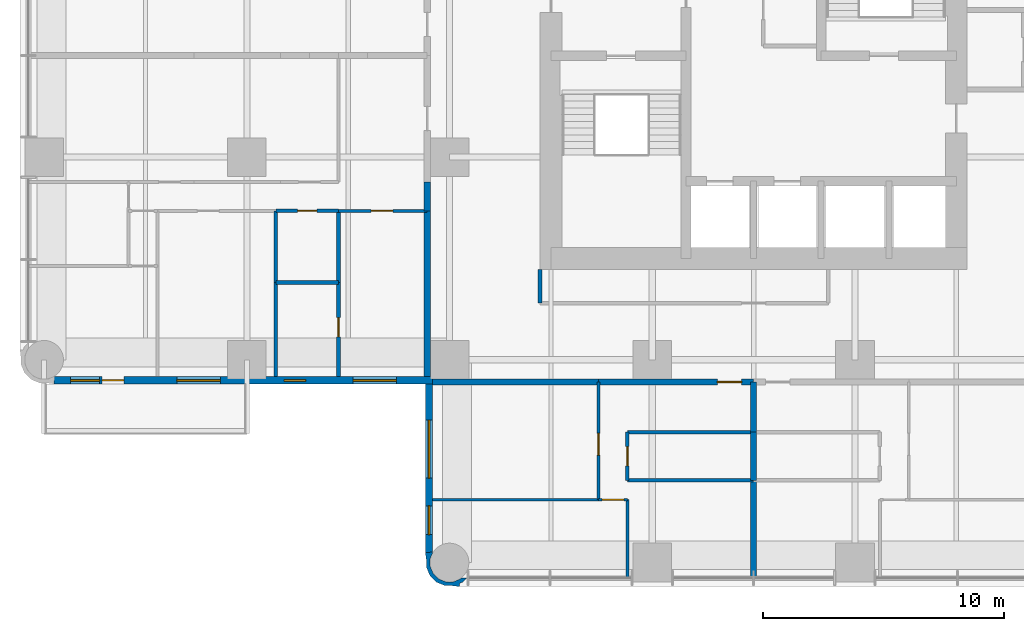
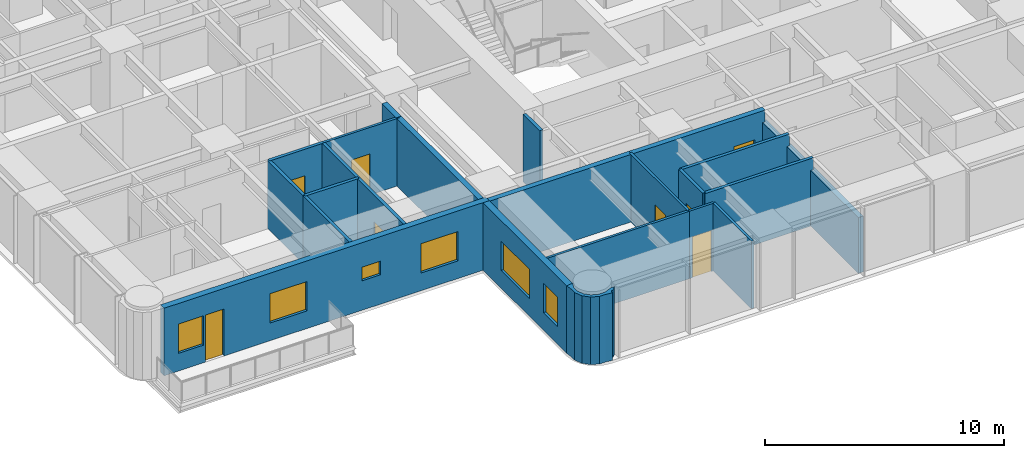
# One storey, part 6 of 14: 25 walls, 8 doors, 6 windows, 14 openings.
"""IFC4 building model written with IfcOpenShell, lengths in metres."""

from ifc_helpers import new_model, si_unit, direction, frame, frame_2d, origin, place, context, subcontext, project, spatial, polyline, rectangle, outline, extrude, material, layer, layer_set, type_object, element, fill, save


model = new_model("IFC4")

# Units and contexts
model_context = context("Model", 3, precision=1e-05, world=origin(), true_north=direction((0.0, 1.0)))
body_context = subcontext(model_context, "Body", "Model", "MODEL_VIEW")
ifc_project = project(units=[si_unit("LENGTHUNIT", "METRE"), si_unit("AREAUNIT", "SQUARE_METRE"), si_unit("VOLUMEUNIT", "CUBIC_METRE"), si_unit("PLANEANGLEUNIT", "RADIAN"), si_unit("MASSUNIT", "GRAM", prefix="KILO")], contexts=[model_context])

# Site, building, storey
site_placement = place(None, origin())
site = spatial("IfcSite", under=ifc_project, at=site_placement, CompositionType="ELEMENT")
building_placement = place(site_placement, origin())
building = spatial("IfcBuilding", under=site, at=building_placement, Name="Torre Alcanfor", CompositionType="ELEMENT")
storey_placement = place(building_placement, frame((0.0, 0.0, 130.5)))
storey = spatial("IfcBuildingStorey", under=building, at=storey_placement, Name="L33", CompositionType="ELEMENT", Elevation=130.5)

# Wall, opening, door
ifc_material_1 = material(Name="Concrete block masonry, hollow blocks NMX-C-404 9 MPa", Category="masonry")
ifc_layer_1 = layer(ifc_material_1, 0.25)
ifc_layer_set_1 = layer_set([ifc_layer_1], Name="Apartment entrance wall 250 EI 60")
wall_type_1 = type_object("IfcWallType", Name="Apartment entrance wall 250 EI 60", PredefinedType="PARTITIONING", material=ifc_layer_set_1)
wall_1_placement = place(storey_placement, frame((29.39990234375, 15.875, 0.0), z_axis=(0.0, 0.0, 1.0), x_axis=(-1.0, 0.0, 0.0)))
wall_1 = element("IfcWall", 1, at=wall_1_placement, inside=storey, type_object=wall_type_1, Name="Partition L33-CORR / L33-S2-LIVING", PredefinedType="PARTITIONING", context=body_context, shape_type="SweptSolid", body=[
    extrude(rectangle(XDim=6.428955078125, YDim=0.25, at=frame_2d((3.21435546875, 0.0))), origin(), (0.0, 0.0, 1.0), 3.449951171875),
])
opening_1_placement = place(wall_1_placement, frame((0.5, 0.0, 0.0)))
opening_1 = element("IfcOpeningElement", 2, at=opening_1_placement, cuts=wall_1, Name="Opening D-A1", PredefinedType="OPENING", context=body_context, shape_type="SweptSolid", body=[
    extrude(rectangle(XDim=1.0, YDim=2.10009765625, at=frame_2d((0.5, 1.050048828125))), frame((0.0, 0.135009765625, 0.0), z_axis=(0.0, -1.0, 0.0), x_axis=(1.0, 0.0, 0.0)), (0.0, 0.0, 1.0), 0.27001953125),
])
ifc_material_2 = material(Name="Galvanised steel sheet ASTM A653", Category="steel")
door_type_1 = type_object("IfcDoorType", Name="Apartment entrance door FD60 1000x2100", OperationType="SINGLE_SWING_LEFT", PredefinedType="DOOR", material=ifc_material_2)
door_1_placement = place(opening_1_placement, origin())
door_1 = element("IfcDoor", 3, at=door_1_placement, inside=storey, type_object=door_type_1, Name="Apartment entrance L33-S2", OperationType="SINGLE_SWING_LEFT", OverallHeight=2.10009765625, OverallWidth=1.0, PredefinedType="DOOR", context=body_context, shape_type="SweptSolid", body=[
    extrude(rectangle(XDim=1.0, YDim=2.10009765625, at=frame_2d((0.5, 1.050048828125))), frame((0.0, 0.02490234375, 0.0), z_axis=(0.0, -1.0, 0.0), x_axis=(1.0, 0.0, 0.0)), (0.0, 0.0, 1.0), 0.050048828125),
])
fill(opening_1, door_1)

# Walls
wall_2_placement = place(storey_placement, frame((22.970947265625, 15.875, 0.0), z_axis=(0.0, 0.0, 1.0), x_axis=(-1.0, 0.0, 0.0)))
element("IfcWall", 4, at=wall_2_placement, inside=storey, type_object=wall_type_1, Name="Partition L33-CORR / L33-S2-BED2", PredefinedType="PARTITIONING", context=body_context, shape_type="SweptSolid", body=[
    extrude(rectangle(XDim=6.870849609375, YDim=0.25, at=frame_2d((3.435546875, 0.0))), origin(), (0.0, 0.0, 1.0), 3.449951171875),
])
wall_3_placement = place(storey_placement, frame((15.875, 22.970947265625, 0.0), z_axis=(0.0, 0.0, 1.0), x_axis=(0.0, 1.0, 0.0)))
element("IfcWall", 5, at=wall_3_placement, inside=storey, type_object=wall_type_1, Name="Partition L33-CORR / L33-W1-HALL", PredefinedType="PARTITIONING", context=body_context, shape_type="SweptSolid", body=[
    extrude(rectangle(XDim=1.199951171875, YDim=0.25, at=frame_2d((0.60009765625, 0.0))), origin(), (0.0, 0.0, 1.0), 3.449951171875),
])
wall_4_placement = place(storey_placement, frame((15.875, 16.10009765625, 0.0), z_axis=(0.0, 0.0, 1.0), x_axis=(0.0, 1.0, 0.0)))
element("IfcWall", 6, at=wall_4_placement, inside=storey, type_object=wall_type_1, Name="Partition L33-CORR / L33-W1-SERV", PredefinedType="PARTITIONING", context=body_context, shape_type="SweptSolid", body=[
    extrude(rectangle(XDim=6.870849609375, YDim=0.25, at=frame_2d((3.435546875, 0.0))), origin(), (0.0, 0.0, 1.0), 3.449951171875),
])

# Wall, opening, door
ifc_material_3 = material(Name="Gypsum board on steel studs", Category="steel")
ifc_layer_2 = layer(ifc_material_3, 0.1201171875)
ifc_layer_set_2 = layer_set([ifc_layer_2], Name="Apartment partition 120")
wall_type_2 = type_object("IfcWallType", Name="Apartment partition 120", PredefinedType="PARTITIONING", material=ifc_layer_set_2)
wall_5_placement = place(storey_placement, frame((22.970947265625, 11.0, 0.0), z_axis=(0.0, 0.0, 1.0), x_axis=(0.0, 1.0, 0.0)))
wall_5 = element("IfcWall", 7, at=wall_5_placement, inside=storey, type_object=wall_type_2, Name="Partition L33-S2-LIVING / L33-S2-BED2", PredefinedType="PARTITIONING", context=body_context, shape_type="SweptSolid", body=[
    extrude(rectangle(XDim=4.875, YDim=0.1201171875, at=frame_2d((2.4375, 0.0))), origin(), (0.0, 0.0, 1.0), 3.449951171875),
])
opening_2_placement = place(wall_5_placement, frame((1.85009765625, 0.0, 0.0)))
opening_2 = element("IfcOpeningElement", 8, at=opening_2_placement, cuts=wall_5, Name="Opening D-R1", PredefinedType="OPENING", context=body_context, shape_type="SweptSolid", body=[
    extrude(rectangle(XDim=0.89990234375, YDim=2.10009765625, at=frame_2d((0.449951171875, 1.050048828125))), frame((0.0, 0.070068359375, 0.0), z_axis=(0.0, -1.0, 0.0), x_axis=(1.0, 0.0, 0.0)), (0.0, 0.0, 1.0), 0.14013671875),
])
ifc_material_4 = material(Name="Timber", Category="wood")
door_type_2 = type_object("IfcDoorType", Name="Internal door 900x2100", OperationType="SINGLE_SWING_LEFT", PredefinedType="DOOR", material=ifc_material_4)
door_2_placement = place(opening_2_placement, origin())
door_2 = element("IfcDoor", 9, at=door_2_placement, inside=storey, type_object=door_type_2, Name="Door L33-S2 bed2", OperationType="SINGLE_SWING_LEFT", OverallHeight=2.10009765625, OverallWidth=0.89990234375, PredefinedType="DOOR", context=body_context, shape_type="SweptSolid", body=[
    extrude(rectangle(XDim=0.89990234375, YDim=2.10009765625, at=frame_2d((0.449951171875, 1.050048828125))), frame((0.0, 0.02490234375, 0.0), z_axis=(0.0, -1.0, 0.0), x_axis=(1.0, 0.0, 0.0)), (0.0, 0.0, 1.0), 0.050048828125),
])
fill(opening_2, door_2)

# Wall
wall_6_placement = place(storey_placement, frame((24.1708984375, 7.75, 0.0), z_axis=(0.0, 0.0, 1.0), x_axis=(0.0, 1.0, 0.0)))
element("IfcWall", 10, at=wall_6_placement, inside=storey, type_object=wall_type_2, Name="Partition L33-S2-LIVING / L33-S2-MASTER", PredefinedType="PARTITIONING", context=body_context, shape_type="SweptSolid", body=[
    extrude(rectangle(XDim=3.25, YDim=0.1201171875, at=frame_2d((1.625, 0.0))), origin(), (0.0, 0.0, 1.0), 3.449951171875),
])

# Wall, opening, door
wall_7_placement = place(storey_placement, frame((24.1708984375, 11.0, 0.0), z_axis=(0.0, 0.0, 1.0), x_axis=(-1.0, 0.0, 0.0)))
wall_7 = element("IfcWall", 11, at=wall_7_placement, inside=storey, type_object=wall_type_2, Name="Partition L33-S2-LIVING / L33-S2-MASTER", PredefinedType="PARTITIONING", context=body_context, shape_type="SweptSolid", body=[
    extrude(rectangle(XDim=1.199951171875, YDim=0.1201171875, at=frame_2d((0.60009765625, 0.0))), origin(), (0.0, 0.0, 1.0), 3.449951171875),
])
opening_3_placement = place(wall_7_placement, frame((0.15087890625, 0.0, 0.0)))
opening_3 = element("IfcOpeningElement", 12, at=opening_3_placement, cuts=wall_7, Name="Opening D-R1", PredefinedType="OPENING", context=body_context, shape_type="SweptSolid", body=[
    extrude(rectangle(XDim=0.89990234375, YDim=2.10009765625, at=frame_2d((0.449951171875, 1.050048828125))), frame((0.0, 0.070068359375, 0.0), z_axis=(0.0, -1.0, 0.0), x_axis=(1.0, 0.0, 0.0)), (0.0, 0.0, 1.0), 0.14013671875),
])
door_3_placement = place(opening_3_placement, origin())
door_3 = element("IfcDoor", 13, at=door_3_placement, inside=storey, type_object=door_type_2, Name="Door L33-S2 master", OperationType="SINGLE_SWING_LEFT", OverallHeight=2.10009765625, OverallWidth=0.89990234375, PredefinedType="DOOR", context=body_context, shape_type="SweptSolid", body=[
    extrude(rectangle(XDim=0.89990234375, YDim=2.10009765625, at=frame_2d((0.449951171875, 1.050048828125))), frame((0.0, 0.02490234375, 0.0), z_axis=(0.0, -1.0, 0.0), x_axis=(1.0, 0.0, 0.0)), (0.0, 0.0, 1.0), 0.050048828125),
])
fill(opening_3, door_3)

# Wall
wall_8_placement = place(storey_placement, frame((22.970947265625, 11.0, 0.0), z_axis=(0.0, 0.0, 1.0), x_axis=(-1.0, 0.0, 0.0)))
element("IfcWall", 14, at=wall_8_placement, inside=storey, type_object=wall_type_2, Name="Partition L33-S2-BED2 / L33-S2-MASTER", PredefinedType="PARTITIONING", context=body_context, shape_type="SweptSolid", body=[
    extrude(rectangle(XDim=6.870849609375, YDim=0.1201171875, at=frame_2d((3.435546875, 0.0))), origin(), (0.0, 0.0, 1.0), 3.449951171875),
])

# Wall, opening, door
wall_9_placement = place(storey_placement, frame((12.199951171875, 22.970947265625, 0.0), z_axis=(0.0, 0.0, 1.0), x_axis=(1.0, 0.0, 0.0)))
wall_9 = element("IfcWall", 15, at=wall_9_placement, inside=storey, type_object=wall_type_2, Name="Partition L33-W1-HALL / L33-W1-SERV", PredefinedType="PARTITIONING", context=body_context, shape_type="SweptSolid", body=[
    extrude(rectangle(XDim=3.675048828125, YDim=0.1201171875, at=frame_2d((1.83740234375, 0.0))), origin(), (0.0, 0.0, 1.0), 3.449951171875),
])
opening_4_placement = place(wall_9_placement, frame((1.35009765625, 0.0, 0.0)))
opening_4 = element("IfcOpeningElement", 16, at=opening_4_placement, cuts=wall_9, Name="Opening D-R1", PredefinedType="OPENING", context=body_context, shape_type="SweptSolid", body=[
    extrude(rectangle(XDim=0.89990234375, YDim=2.10009765625, at=frame_2d((0.449951171875, 1.050048828125))), frame((0.0, 0.070068359375, 0.0), z_axis=(0.0, -1.0, 0.0), x_axis=(1.0, 0.0, 0.0)), (0.0, 0.0, 1.0), 0.14013671875),
])
door_4_placement = place(opening_4_placement, frame((0.89990234375, 0.0, 0.0), z_axis=(0.0, 0.0, 1.0), x_axis=(-1.0, 0.0, 0.0)))
door_4 = element("IfcDoor", 17, at=door_4_placement, inside=storey, type_object=door_type_2, Name="Door L33-W1 serv", OperationType="SINGLE_SWING_RIGHT", OverallHeight=2.10009765625, OverallWidth=0.89990234375, PredefinedType="DOOR", context=body_context, shape_type="SweptSolid", body=[
    extrude(rectangle(XDim=0.89990234375, YDim=2.10009765625, at=frame_2d((0.449951171875, 1.050048828125))), frame((0.0, 0.025146484375, 0.0), z_axis=(0.0, -1.0, 0.0), x_axis=(1.0, 0.0, 0.0)), (0.0, 0.0, 1.0), 0.050048828125),
])
fill(opening_4, door_4)

# Wall, openings, door, windows
ifc_material_5 = material(Name="Limestone cladding", Category="masonry")
ifc_layer_3 = layer(ifc_material_5, 0.0400390625, Name="Facing")
ifc_material_6 = material(Name="Ventilated air cavity")
ifc_layer_4 = layer(ifc_material_6, 0.02001953125, ventilated=True, Name="Ventilated joint")
ifc_material_7 = material(Name="Mineral wool insulation", Category="insulation")
ifc_layer_5 = layer(ifc_material_7, 0.10009765625, Name="Insulation")
ifc_material_8 = material(Name="Concrete f'c 35 MPa", Category="concrete")
ifc_layer_6 = layer(ifc_material_8, 0.139892578125, Name="Backing")
ifc_layer_set_3 = layer_set([ifc_layer_3, ifc_layer_4, ifc_layer_5, ifc_layer_6], Name="External wall stone-clad 300")
wall_type_3 = type_object("IfcWallType", Name="External wall stone-clad 300", PredefinedType="SOLIDWALL", material=ifc_layer_set_3)
wall_10_placement = place(storey_placement, frame((0.39990234375, 15.949951171875, 0.0), z_axis=(0.0, 0.0, 1.0), x_axis=(1.0, 0.0, 0.0)))
wall_10 = element("IfcWall", 18, at=wall_10_placement, inside=storey, type_object=wall_type_3, Name="External wall L33 3", PredefinedType="SOLIDWALL", context=body_context, shape_type="SweptSolid", body=[
    extrude(rectangle(XDim=15.7001953125, YDim=0.300048828125, at=frame_2d((7.85009765625, 0.0))), origin(), (0.0, 0.0, 1.0), 3.449951171875),
])
opening_5_placement = place(wall_10_placement, frame((12.39990234375, 0.0, 0.89990234375)))
opening_5 = element("IfcOpeningElement", 19, at=opening_5_placement, cuts=wall_10, Name="Opening W2", PredefinedType="OPENING", context=body_context, shape_type="SweptSolid", body=[
    extrude(rectangle(XDim=1.800048828125, YDim=1.5, at=frame_2d((0.89990234375, 0.75))), frame((0.0, 0.159912109375, 0.0), z_axis=(0.0, -1.0, 0.0), x_axis=(1.0, 0.0, 0.0)), (0.0, 0.0, 1.0), 0.320068359375),
])
opening_6_placement = place(wall_10_placement, frame((9.550048828125, 0.0, 1.5)))
opening_6 = element("IfcOpeningElement", 20, at=opening_6_placement, cuts=wall_10, Name="Opening W3", PredefinedType="OPENING", context=body_context, shape_type="SweptSolid", body=[
    extrude(rectangle(XDim=0.89990234375, YDim=0.699951171875, at=frame_2d((0.449951171875, 0.35009765625))), frame((0.0, 0.159912109375, 0.0), z_axis=(0.0, -1.0, 0.0), x_axis=(1.0, 0.0, 0.0)), (0.0, 0.0, 1.0), 0.320068359375),
])
opening_7_placement = place(wall_10_placement, frame((5.10009765625, 0.0, 0.89990234375)))
opening_7 = element("IfcOpeningElement", 21, at=opening_7_placement, cuts=wall_10, Name="Opening W2", PredefinedType="OPENING", context=body_context, shape_type="SweptSolid", body=[
    extrude(rectangle(XDim=1.800048828125, YDim=1.5, at=frame_2d((0.89990234375, 0.75))), frame((0.0, 0.159912109375, 0.0), z_axis=(0.0, -1.0, 0.0), x_axis=(1.0, 0.0, 0.0)), (0.0, 0.0, 1.0), 0.320068359375),
])
opening_8_placement = place(wall_10_placement, frame((2.0, 0.0, 0.0)))
opening_8 = element("IfcOpeningElement", 22, at=opening_8_placement, cuts=wall_10, Name="Opening D-B1", PredefinedType="OPENING", context=body_context, shape_type="SweptSolid", body=[
    extrude(rectangle(XDim=0.89990234375, YDim=2.39990234375, at=frame_2d((0.449951171875, 1.199951171875))), frame((0.0, 0.159912109375, 0.0), z_axis=(0.0, -1.0, 0.0), x_axis=(1.0, 0.0, 0.0)), (0.0, 0.0, 1.0), 0.320068359375),
])
opening_9_placement = place(wall_10_placement, frame((0.699951171875, 0.0, 0.89990234375)))
opening_9 = element("IfcOpeningElement", 23, at=opening_9_placement, cuts=wall_10, Name="Opening W4", PredefinedType="OPENING", context=body_context, shape_type="SweptSolid", body=[
    extrude(rectangle(XDim=1.199951171875, YDim=1.5, at=frame_2d((0.60009765625, 0.75))), frame((0.0, 0.159912109375, 0.0), z_axis=(0.0, -1.0, 0.0), x_axis=(1.0, 0.0, 0.0)), (0.0, 0.0, 1.0), 0.320068359375),
])
ifc_material_9 = material(Name="Aluminium and glass", Category="aluminium")
door_type_3 = type_object("IfcDoorType", Name="Balcony door glazed 900x2400", OperationType="SINGLE_SWING_LEFT", PredefinedType="DOOR", material=ifc_material_9)
door_5_placement = place(opening_8_placement, origin())
door_5 = element("IfcDoor", 24, at=door_5_placement, inside=storey, type_object=door_type_3, Name="Balcony door L33-W1", OperationType="SINGLE_SWING_RIGHT", OverallHeight=2.39990234375, OverallWidth=0.89990234375, PredefinedType="DOOR", context=body_context, shape_type="SweptSolid", body=[
    extrude(rectangle(XDim=0.89990234375, YDim=2.39990234375, at=frame_2d((0.449951171875, 1.199951171875))), frame((0.0, 0.02490234375, 0.0), z_axis=(0.0, -1.0, 0.0), x_axis=(1.0, 0.0, 0.0)), (0.0, 0.0, 1.0), 0.050048828125),
])
fill(opening_8, door_5)
ifc_material_10 = material(Name="Aluminium frame with clear double glazing", Category="aluminium")
window_type_1 = type_object("IfcWindowType", Name="Window bathroom 900x700", PartitioningType="SINGLE_PANEL", PredefinedType="WINDOW", material=ifc_material_10)
window_1_placement = place(opening_6_placement, origin())
window_1 = element("IfcWindow", 25, at=window_1_placement, inside=storey, type_object=window_type_1, Name="Window W3 L33-W1", OverallHeight=0.699951171875, OverallWidth=0.89990234375, PartitioningType="SINGLE_PANEL", PredefinedType="WINDOW", context=body_context, shape_type="SweptSolid", body=[
    extrude(rectangle(XDim=0.89990234375, YDim=0.699951171875, at=frame_2d((0.449951171875, 0.35009765625))), frame((0.0, 0.030029296875, 0.0), z_axis=(0.0, -1.0, 0.0), x_axis=(1.0, 0.0, 0.0)), (0.0, 0.0, 1.0), 0.06005859375),
])
fill(opening_6, window_1)
ifc_material_11 = material(Name="Aluminium frame with clear double glazing", Category="aluminium")
window_type_2 = type_object("IfcWindowType", Name="Window bedroom 1200x1500", PartitioningType="SINGLE_PANEL", PredefinedType="WINDOW", material=ifc_material_11)
window_2_placement = place(opening_9_placement, origin())
window_2 = element("IfcWindow", 26, at=window_2_placement, inside=storey, type_object=window_type_2, Name="Window W4 L33-W1", OverallHeight=1.5, OverallWidth=1.199951171875, PartitioningType="SINGLE_PANEL", PredefinedType="WINDOW", context=body_context, shape_type="SweptSolid", body=[
    extrude(rectangle(XDim=1.199951171875, YDim=1.5, at=frame_2d((0.60009765625, 0.75))), frame((0.0, 0.030029296875, 0.0), z_axis=(0.0, -1.0, 0.0), x_axis=(1.0, 0.0, 0.0)), (0.0, 0.0, 1.0), 0.06005859375),
])
fill(opening_9, window_2)
ifc_material_12 = material(Name="Aluminium frame with clear double glazing", Category="aluminium")
window_type_3 = type_object("IfcWindowType", Name="Window bedroom 1800x1500", PartitioningType="SINGLE_PANEL", PredefinedType="WINDOW", material=ifc_material_12)
window_3_placement = place(opening_5_placement, origin())
window_3 = element("IfcWindow", 27, at=window_3_placement, inside=storey, type_object=window_type_3, Name="Window W2 L33-W1", OverallHeight=1.5, OverallWidth=1.800048828125, PartitioningType="SINGLE_PANEL", PredefinedType="WINDOW", context=body_context, shape_type="SweptSolid", body=[
    extrude(rectangle(XDim=1.800048828125, YDim=1.5, at=frame_2d((0.89990234375, 0.75))), frame((0.0, 0.030029296875, 0.0), z_axis=(0.0, -1.0, 0.0), x_axis=(1.0, 0.0, 0.0)), (0.0, 0.0, 1.0), 0.06005859375),
])
fill(opening_5, window_3)
window_4_placement = place(opening_7_placement, origin())
window_4 = element("IfcWindow", 28, at=window_4_placement, inside=storey, type_object=window_type_3, Name="Window W2 L33-W1", OverallHeight=1.5, OverallWidth=1.800048828125, PartitioningType="SINGLE_PANEL", PredefinedType="WINDOW", context=body_context, shape_type="SweptSolid", body=[
    extrude(rectangle(XDim=1.800048828125, YDim=1.5, at=frame_2d((0.89990234375, 0.75))), frame((0.0, 0.030029296875, 0.0), z_axis=(0.0, -1.0, 0.0), x_axis=(1.0, 0.0, 0.0)), (0.0, 0.0, 1.0), 0.06005859375),
])
fill(opening_7, window_4)

# Wall, openings, windows
wall_11_placement = place(storey_placement, frame((15.949951171875, 15.800048828125, 0.0), z_axis=(0.0, 0.0, 1.0), x_axis=(0.0, -1.0, 0.0)))
wall_11 = element("IfcWall", 29, at=wall_11_placement, inside=storey, type_object=wall_type_3, Name="External wall L33 4", PredefinedType="SOLIDWALL", context=body_context, shape_type="SweptSolid", body=[
    extrude(rectangle(XDim=7.0, YDim=0.300048828125, at=frame_2d((3.5, 0.0))), origin(), (0.0, 0.0, 1.0), 3.449951171875),
])
opening_10_placement = place(wall_11_placement, frame((1.5, 0.0, 0.89990234375)))
opening_10 = element("IfcOpeningElement", 30, at=opening_10_placement, cuts=wall_11, Name="Opening W1", PredefinedType="OPENING", context=body_context, shape_type="SweptSolid", body=[
    extrude(rectangle(XDim=2.39990234375, YDim=1.5, at=frame_2d((1.199951171875, 0.75))), frame((0.0, 0.159912109375, 0.0), z_axis=(0.0, -1.0, 0.0), x_axis=(1.0, 0.0, 0.0)), (0.0, 0.0, 1.0), 0.320068359375),
])
opening_11_placement = place(wall_11_placement, frame((5.050048828125, 0.0, 0.89990234375)))
opening_11 = element("IfcOpeningElement", 31, at=opening_11_placement, cuts=wall_11, Name="Opening W4", PredefinedType="OPENING", context=body_context, shape_type="SweptSolid", body=[
    extrude(rectangle(XDim=1.199951171875, YDim=1.5, at=frame_2d((0.60009765625, 0.75))), frame((0.0, 0.159912109375, 0.0), z_axis=(0.0, -1.0, 0.0), x_axis=(1.0, 0.0, 0.0)), (0.0, 0.0, 1.0), 0.320068359375),
])
window_5_placement = place(opening_11_placement, origin())
window_5 = element("IfcWindow", 32, at=window_5_placement, inside=storey, type_object=window_type_2, Name="Window W4 L33-S2", OverallHeight=1.5, OverallWidth=1.199951171875, PartitioningType="SINGLE_PANEL", PredefinedType="WINDOW", context=body_context, shape_type="SweptSolid", body=[
    extrude(rectangle(XDim=1.199951171875, YDim=1.5, at=frame_2d((0.60009765625, 0.75))), frame((0.0, 0.030029296875, 0.0), z_axis=(0.0, -1.0, 0.0), x_axis=(1.0, 0.0, 0.0)), (0.0, 0.0, 1.0), 0.06005859375),
])
fill(opening_11, window_5)
ifc_material_13 = material(Name="Aluminium frame with clear double glazing", Category="aluminium")
window_type_4 = type_object("IfcWindowType", Name="Window bedroom 2400x1500", PartitioningType="SINGLE_PANEL", PredefinedType="WINDOW", material=ifc_material_13)
window_6_placement = place(opening_10_placement, origin())
window_6 = element("IfcWindow", 33, at=window_6_placement, inside=storey, type_object=window_type_4, Name="Window W1 L33-S2", OverallHeight=1.5, OverallWidth=2.39990234375, PartitioningType="SINGLE_PANEL", PredefinedType="WINDOW", context=body_context, shape_type="SweptSolid", body=[
    extrude(rectangle(XDim=2.39990234375, YDim=1.5, at=frame_2d((1.199951171875, 0.75))), frame((0.0, 0.030029296875, 0.0), z_axis=(0.0, -1.0, 0.0), x_axis=(1.0, 0.0, 0.0)), (0.0, 0.0, 1.0), 0.06005859375),
])
fill(opening_10, window_6)

# Walls
ifc_material_14 = material(Name="Concrete block masonry, hollow blocks NMX-C-404 9 MPa", Category="masonry")
ifc_layer_7 = layer(ifc_material_14, 0.25)
ifc_layer_set_4 = layer_set([ifc_layer_7], Name="Party wall 250 EI 60")
wall_type_4 = type_object("IfcWallType", Name="Party wall 250 EI 60", PredefinedType="PARTITIONING", material=ifc_layer_set_4)
wall_12_placement = place(storey_placement, frame((29.39990234375, 13.800048828125, 0.0), z_axis=(0.0, 0.0, 1.0), x_axis=(0.0, -1.0, 0.0)))
element("IfcWall", 34, at=wall_12_placement, inside=storey, type_object=wall_type_4, Name="Partition L33-S1-BATH / L33-S2-BATH", PredefinedType="PARTITIONING", context=body_context, shape_type="SweptSolid", body=[
    extrude(rectangle(XDim=2.0, YDim=0.25, at=frame_2d((1.0, 0.0))), origin(), (0.0, 0.0, 1.0), 2.847900390625),
])
wall_13_placement = place(storey_placement, frame((29.39990234375, 7.75, 0.0), z_axis=(0.0, 0.0, 1.0), x_axis=(0.0, 1.0, 0.0)))
element("IfcWall", 35, at=wall_13_placement, inside=storey, type_object=wall_type_4, Name="Partition L33-S1-LIVING / L33-S2-LIVING", PredefinedType="PARTITIONING", context=body_context, shape_type="SweptSolid", body=[
    extrude(rectangle(XDim=4.050048828125, YDim=0.25, at=frame_2d((2.02490234375, 0.0))), origin(), (0.0, 0.0, 1.0), 2.847900390625),
])
wall_14_placement = place(storey_placement, frame((29.39990234375, 13.800048828125, 0.0), z_axis=(0.0, 0.0, 1.0), x_axis=(0.0, 1.0, 0.0)))
element("IfcWall", 36, at=wall_14_placement, inside=storey, type_object=wall_type_4, Name="Partition L33-S1-LIVING / L33-S2-LIVING", PredefinedType="PARTITIONING", context=body_context, shape_type="SweptSolid", body=[
    extrude(rectangle(XDim=2.074951171875, YDim=0.25, at=frame_2d((1.03759765625, 0.0))), origin(), (0.0, 0.0, 1.0), 2.847900390625),
])
ifc_material_15 = material(Name="Concrete block masonry, hollow blocks NMX-C-404 9 MPa", Category="masonry")
ifc_layer_8 = layer(ifc_material_15, 0.14990234375)
ifc_layer_set_5 = layer_set([ifc_layer_8], Name="Residents' room partition 150")
wall_type_5 = type_object("IfcWallType", Name="Residents' room partition 150", PredefinedType="PARTITIONING", material=ifc_layer_set_5)
wall_15_placement = place(storey_placement, frame((20.550048828125, 20.550048828125, 0.0), z_axis=(0.0, 0.0, 1.0), x_axis=(0.0, -1.0, 0.0)))
element("IfcWall", 37, at=wall_15_placement, inside=storey, type_object=wall_type_5, Name="Partition L33-CORR / L33-G04", PredefinedType="PARTITIONING", context=body_context, shape_type="SweptSolid", body=[
    extrude(rectangle(XDim=1.400146484375, YDim=0.14990234375, at=frame_2d((0.7001953125, 0.0))), origin(), (0.0, 0.0, 1.0), 3.449951171875),
])
ifc_layer_9 = layer(ifc_material_5, 0.0400390625, Name="Facing")
ifc_layer_10 = layer(ifc_material_6, 0.02001953125, ventilated=True, Name="Ventilated joint")
ifc_layer_11 = layer(ifc_material_7, 0.10009765625, Name="Insulation")
ifc_layer_12 = layer(ifc_material_8, 0.139892578125, Name="Backing")
ifc_layer_set_6 = layer_set([ifc_layer_9, ifc_layer_10, ifc_layer_11, ifc_layer_12], Name="Rounded corner pier stone-clad 300")
wall_type_6 = type_object("IfcWallType", Name="Rounded corner pier stone-clad 300", PredefinedType="SOLIDWALL", material=ifc_layer_set_6)
wall_16_placement = place(storey_placement, frame((15.982940512, 8.726823795, 0.0), z_axis=(0.0, 0.0, 1.0), x_axis=(-0.343276641956, -0.93923434088, 0.0)))
element("IfcWall", 38, at=wall_16_placement, inside=storey, type_object=wall_type_6, Name="Corner pier L33 15", PredefinedType="SOLIDWALL", context=body_context, shape_type="SweptSolid", body=[
    extrude(outline(polyline([(0.8285188621172053, 1.5985593448955209), (0.6965961152022397, 1.5690588556644411), (0.6041961706613557, 1.669674810951586), (0.3940973255728224, 1.767303623446145), (0.47128428534856764, 1.55611347990365), (0.5085447362659081, 1.5387992791780876), (0.7240402358503313, 1.3040772160031127), (0.8334093808094493, 1.0048338530031606), (0.8200582319080854, 0.6864716314609828), (0.6857640531711582, 0.3974683020769049), (0.4510419899961833, 0.18197280249248177), (0.15179862699623123, 0.07260365753336384), (-0.11622928371084919, 0.08407628105020303), (-0.1273371975026375, 0.0781969477675098), (-0.14614022874094865, 0.07132471030647711), (-0.0059930226407584886, -0.19691459363495123), (0.26574754989690047, -0.054967852634112954), (0.535410534485363, 0.043590089489965705), (0.8166395849446566, 0.30181686768145743), (0.9775598034528271, 0.6481198820896807), (0.9938114202888776, 1.0296668379252687), (0.8951696703908839, 1.299559127772735), (0.8285188621172053, 1.5985593448955209)])), origin(), (0.0, 0.0, 1.0), 3.449951171875),
])
ifc_material_16 = material(Name="Cement board on steel studs", Category="steel")
ifc_layer_13 = layer(ifc_material_16, 0.14990234375)
ifc_layer_set_7 = layer_set([ifc_layer_13], Name="Wet area partition 150")
wall_type_7 = type_object("IfcWallType", Name="Wet area partition 150", PredefinedType="PARTITIONING", material=ifc_layer_set_7)
wall_17_placement = place(storey_placement, frame((29.39990234375, 11.800048828125, 0.0), z_axis=(0.0, 0.0, 1.0), x_axis=(-1.0, 0.0, 0.0)))
element("IfcWall", 39, at=wall_17_placement, inside=storey, type_object=wall_type_7, Name="Partition L33-S2-BATH / L33-S2-LIVING", PredefinedType="PARTITIONING", context=body_context, shape_type="SweptSolid", body=[
    extrude(rectangle(XDim=5.22900390625, YDim=0.14990234375, at=frame_2d((2.614501953125, 0.0))), origin(), (0.0, 0.0, 1.0), 3.449951171875),
])

# Wall, opening, door
wall_18_placement = place(storey_placement, frame((24.1708984375, 11.800048828125, 0.0), z_axis=(0.0, 0.0, 1.0), x_axis=(0.0, 1.0, 0.0)))
wall_18 = element("IfcWall", 40, at=wall_18_placement, inside=storey, type_object=wall_type_7, Name="Partition L33-S2-BATH / L33-S2-LIVING", PredefinedType="PARTITIONING", context=body_context, shape_type="SweptSolid", body=[
    extrude(rectangle(XDim=2.0, YDim=0.14990234375, at=frame_2d((1.0, 0.0))), origin(), (0.0, 0.0, 1.0), 3.449951171875),
])
opening_12_placement = place(wall_18_placement, frame((0.60009765625, 0.0, 0.0)))
opening_12 = element("IfcOpeningElement", 41, at=opening_12_placement, cuts=wall_18, Name="Opening D-R2", PredefinedType="OPENING", context=body_context, shape_type="SweptSolid", body=[
    extrude(rectangle(XDim=0.800048828125, YDim=2.10009765625, at=frame_2d((0.39990234375, 1.050048828125))), frame((0.0, 0.0849609375, 0.0), z_axis=(0.0, -1.0, 0.0), x_axis=(1.0, 0.0, 0.0)), (0.0, 0.0, 1.0), 0.169921875),
])
ifc_material_17 = material(Name="Timber", Category="wood")
door_type_4 = type_object("IfcDoorType", Name="Bathroom door 800x2100", OperationType="SINGLE_SWING_LEFT", PredefinedType="DOOR", material=ifc_material_17)
door_6_placement = place(opening_12_placement, frame((0.800048828125, 0.0, 0.0), z_axis=(0.0, 0.0, 1.0), x_axis=(-1.0, 0.0, 0.0)))
door_6 = element("IfcDoor", 42, at=door_6_placement, inside=storey, type_object=door_type_4, Name="Door L33-S2 bath", OperationType="SINGLE_SWING_RIGHT", OverallHeight=2.10009765625, OverallWidth=0.800048828125, PredefinedType="DOOR", context=body_context, shape_type="SweptSolid", body=[
    extrude(rectangle(XDim=0.800048828125, YDim=2.10009765625, at=frame_2d((0.400146484375, 1.050048828125))), frame((0.0, 0.025146484375, 0.0), z_axis=(0.0, -1.0, 0.0), x_axis=(1.0, 0.0, 0.0)), (0.0, 0.0, 1.0), 0.050048828125),
])
fill(opening_12, door_6)

# Wall
wall_19_placement = place(storey_placement, frame((24.1708984375, 13.800048828125, 0.0), z_axis=(0.0, 0.0, 1.0), x_axis=(1.0, 0.0, 0.0)))
element("IfcWall", 43, at=wall_19_placement, inside=storey, type_object=wall_type_7, Name="Partition L33-S2-BATH / L33-S2-LIVING", PredefinedType="PARTITIONING", context=body_context, shape_type="SweptSolid", body=[
    extrude(rectangle(XDim=5.22900390625, YDim=0.14990234375, at=frame_2d((2.614501953125, 0.0))), origin(), (0.0, 0.0, 1.0), 3.449951171875),
])

# Wall, opening, door
wall_20_placement = place(storey_placement, frame((9.60009765625, 22.970947265625, 0.0), z_axis=(0.0, 0.0, 1.0), x_axis=(1.0, 0.0, 0.0)))
wall_20 = element("IfcWall", 44, at=wall_20_placement, inside=storey, type_object=wall_type_7, Name="Partition L33-W1-HALL / L33-W1-BATH1", PredefinedType="PARTITIONING", context=body_context, shape_type="SweptSolid", body=[
    extrude(rectangle(XDim=2.599853515625, YDim=0.14990234375, at=frame_2d((1.2998046875, 0.0))), origin(), (0.0, 0.0, 1.0), 3.449951171875),
])
opening_13_placement = place(wall_20_placement, frame((0.89990234375, 0.0, 0.0)))
opening_13 = element("IfcOpeningElement", 45, at=opening_13_placement, cuts=wall_20, Name="Opening D-R2", PredefinedType="OPENING", context=body_context, shape_type="SweptSolid", body=[
    extrude(rectangle(XDim=0.800048828125, YDim=2.10009765625, at=frame_2d((0.39990234375, 1.050048828125))), frame((0.0, 0.0849609375, 0.0), z_axis=(0.0, -1.0, 0.0), x_axis=(1.0, 0.0, 0.0)), (0.0, 0.0, 1.0), 0.169921875),
])
door_7_placement = place(opening_13_placement, frame((0.800048828125, 0.0, 0.0), z_axis=(0.0, 0.0, 1.0), x_axis=(-1.0, 0.0, 0.0)))
door_7 = element("IfcDoor", 46, at=door_7_placement, inside=storey, type_object=door_type_4, Name="Door L33-W1 bath1", OperationType="SINGLE_SWING_RIGHT", OverallHeight=2.10009765625, OverallWidth=0.800048828125, PredefinedType="DOOR", context=body_context, shape_type="SweptSolid", body=[
    extrude(rectangle(XDim=0.800048828125, YDim=2.10009765625, at=frame_2d((0.400146484375, 1.050048828125))), frame((0.0, 0.025146484375, 0.0), z_axis=(0.0, -1.0, 0.0), x_axis=(1.0, 0.0, 0.0)), (0.0, 0.0, 1.0), 0.050048828125),
])
fill(opening_13, door_7)

# Wall
wall_21_placement = place(storey_placement, frame((12.199951171875, 22.970947265625, 0.0), z_axis=(0.0, 0.0, 1.0), x_axis=(0.0, -1.0, 0.0)))
element("IfcWall", 47, at=wall_21_placement, inside=storey, type_object=wall_type_7, Name="Partition L33-W1-SERV / L33-W1-BATH1", PredefinedType="PARTITIONING", context=body_context, shape_type="SweptSolid", body=[
    extrude(rectangle(XDim=2.970947265625, YDim=0.14990234375, at=frame_2d((1.4853515625, 0.0))), origin(), (0.0, 0.0, 1.0), 3.449951171875),
])

# Wall, opening, door
wall_22_placement = place(storey_placement, frame((12.199951171875, 20.0, 0.0), z_axis=(0.0, 0.0, 1.0), x_axis=(0.0, -1.0, 0.0)))
wall_22 = element("IfcWall", 48, at=wall_22_placement, inside=storey, type_object=wall_type_7, Name="Partition L33-W1-SERV / L33-W1-SBATH", PredefinedType="PARTITIONING", context=body_context, shape_type="SweptSolid", body=[
    extrude(rectangle(XDim=3.89990234375, YDim=0.14990234375, at=frame_2d((1.949951171875, 0.0))), origin(), (0.0, 0.0, 1.0), 3.449951171875),
])
opening_14_placement = place(wall_22_placement, frame((1.449951171875, 0.0, 0.0)))
opening_14 = element("IfcOpeningElement", 49, at=opening_14_placement, cuts=wall_22, Name="Opening D-R2", PredefinedType="OPENING", context=body_context, shape_type="SweptSolid", body=[
    extrude(rectangle(XDim=0.800048828125, YDim=2.10009765625, at=frame_2d((0.39990234375, 1.050048828125))), frame((0.0, 0.0849609375, 0.0), z_axis=(0.0, -1.0, 0.0), x_axis=(1.0, 0.0, 0.0)), (0.0, 0.0, 1.0), 0.169921875),
])
door_8_placement = place(opening_14_placement, frame((0.800048828125, 0.0, 0.0), z_axis=(0.0, 0.0, 1.0), x_axis=(-1.0, 0.0, 0.0)))
door_8 = element("IfcDoor", 50, at=door_8_placement, inside=storey, type_object=door_type_4, Name="Door L33-W1 sbath", OperationType="SINGLE_SWING_RIGHT", OverallHeight=2.10009765625, OverallWidth=0.800048828125, PredefinedType="DOOR", context=body_context, shape_type="SweptSolid", body=[
    extrude(rectangle(XDim=0.800048828125, YDim=2.10009765625, at=frame_2d((0.400146484375, 1.050048828125))), frame((0.0, 0.025146484375, 0.0), z_axis=(0.0, -1.0, 0.0), x_axis=(1.0, 0.0, 0.0)), (0.0, 0.0, 1.0), 0.050048828125),
])
fill(opening_14, door_8)

# Walls
wall_23_placement = place(storey_placement, frame((9.60009765625, 20.0, 0.0), z_axis=(0.0, 0.0, 1.0), x_axis=(1.0, 0.0, 0.0)))
element("IfcWall", 51, at=wall_23_placement, inside=storey, type_object=wall_type_7, Name="Partition L33-W1-BATH1 / L33-W1-SBATH", PredefinedType="PARTITIONING", context=body_context, shape_type="SweptSolid", body=[
    extrude(rectangle(XDim=2.599853515625, YDim=0.14990234375, at=frame_2d((1.2998046875, 0.0))), origin(), (0.0, 0.0, 1.0), 3.449951171875),
])
wall_24_placement = place(storey_placement, frame((9.60009765625, 22.970947265625, 0.0), z_axis=(0.0, 0.0, 1.0), x_axis=(0.0, -1.0, 0.0)))
element("IfcWall", 52, at=wall_24_placement, inside=storey, type_object=wall_type_7, Name="Partition L33-W1-BATH1 / L33-W1-BED3", PredefinedType="PARTITIONING", context=body_context, shape_type="SweptSolid", body=[
    extrude(rectangle(XDim=2.970947265625, YDim=0.14990234375, at=frame_2d((1.4853515625, 0.0))), origin(), (0.0, 0.0, 1.0), 3.449951171875),
])
wall_25_placement = place(storey_placement, frame((9.60009765625, 20.0, 0.0), z_axis=(0.0, 0.0, 1.0), x_axis=(0.0, -1.0, 0.0)))
element("IfcWall", 53, at=wall_25_placement, inside=storey, type_object=wall_type_7, Name="Partition L33-W1-SBATH / L33-W1-BED3", PredefinedType="PARTITIONING", context=body_context, shape_type="SweptSolid", body=[
    extrude(rectangle(XDim=3.89990234375, YDim=0.14990234375, at=frame_2d((1.949951171875, 0.0))), origin(), (0.0, 0.0, 1.0), 3.449951171875),
])

save(model, "model.ifc")
